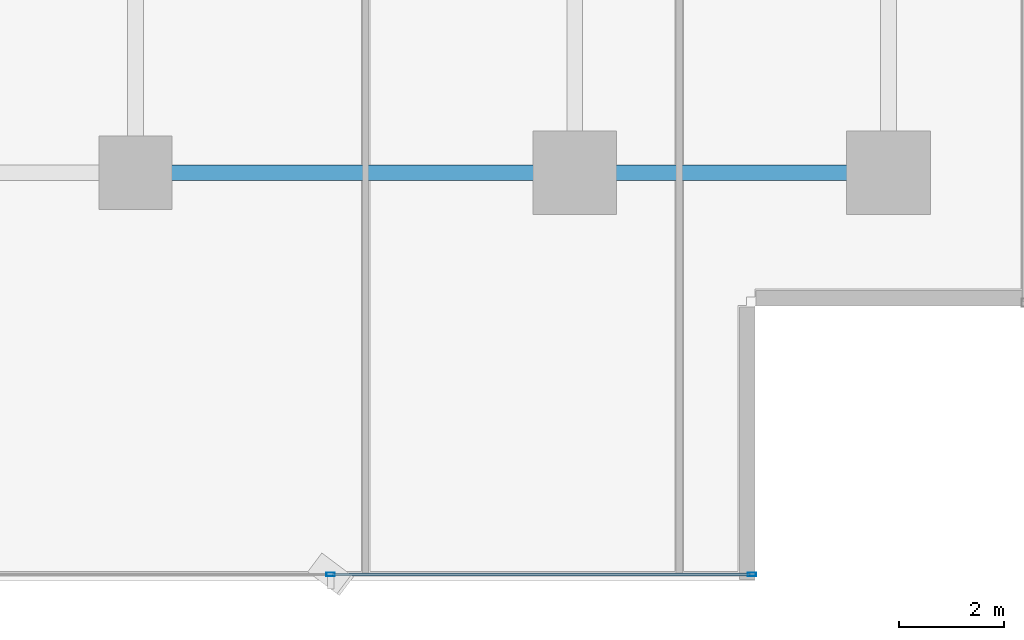
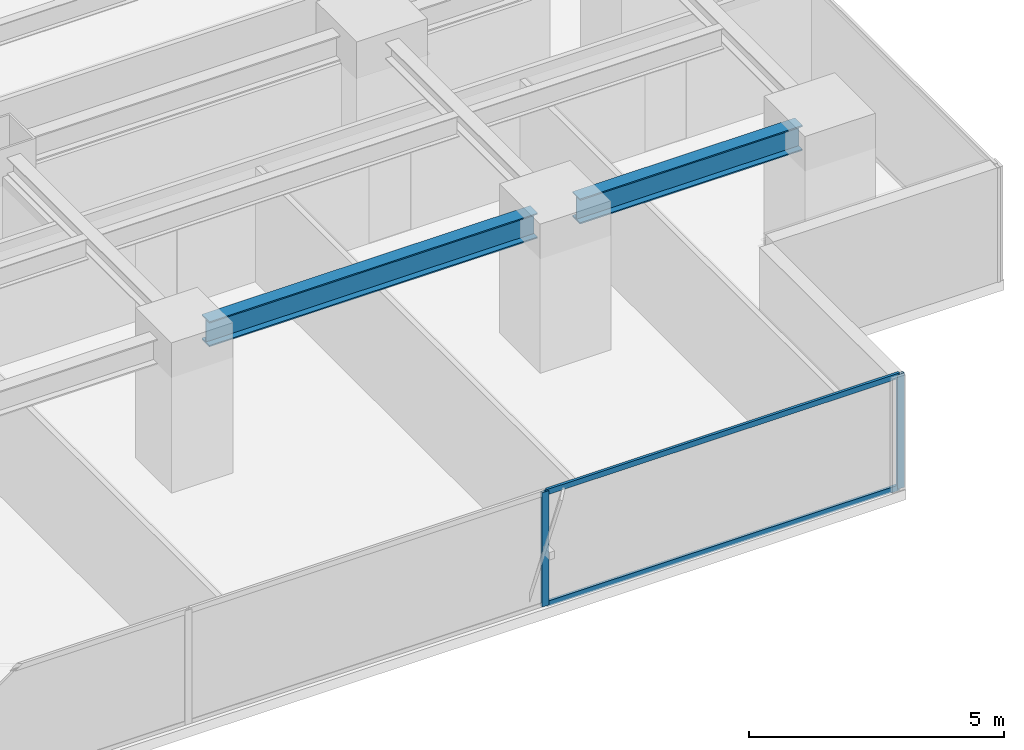
# One storey, part 12 of 37: 4 members, 2 beams, 1 element without a shape of its own.
"""IFC4 building model written with IfcOpenShell, lengths in metres."""

from ifc_helpers import new_model, si_unit, direction, frame, origin, origin_2d, place, context, subcontext, project, spatial, hollow_rectangle, i_section, extrude, source, transform, mapped, material, layer, layer_set, material_profile, profile_set, type_object, element, aggregate, save


model = new_model("IFC4")

# Units and contexts
model_context = context("Model", 3, precision=1e-05, world=origin(), true_north=direction((0.0, 1.0)))
body_context = subcontext(model_context, "Body", "Model", "MODEL_VIEW")
ifc_project = project(units=[si_unit("LENGTHUNIT", "METRE"), si_unit("AREAUNIT", "SQUARE_METRE"), si_unit("VOLUMEUNIT", "CUBIC_METRE"), si_unit("PLANEANGLEUNIT", "RADIAN"), si_unit("MASSUNIT", "GRAM", prefix="KILO")], contexts=[model_context])

# Site, building, storey
site_placement = place(None, origin())
site = spatial("IfcSite", under=ifc_project, at=site_placement, CompositionType="ELEMENT")
building_placement = place(site_placement, origin())
building = spatial("IfcBuilding", under=site, at=building_placement, Name="Sumidabori Civic Tower", CompositionType="ELEMENT")
storey_placement = place(building_placement, frame((0.0, 0.0, 88.39990234375)))
storey = spatial("IfcBuildingStorey", under=building, at=storey_placement, Name="L22", CompositionType="ELEMENT", Elevation=88.39990234375)

# Beams
ifc_material_1 = material(Name="Steel SN490", Category="steel")
ifc_material_profile_1 = material_profile(ifc_material_1, i_section(OverallWidth=0.300048828125, OverallDepth=0.60009765625, WebThickness=0.015380859375, FlangeThickness=0.030029296875, at=origin_2d()), Name="HE 600 B")
ifc_profile_set_1 = profile_set([ifc_material_profile_1], Name="Steel SN490")
beam_type = type_object("IfcBeamType", Name="BM-GIRD-600", PredefinedType="BEAM", material=ifc_profile_set_1)
shared_shape_1 = source(origin(), body_context, "Body", "SweptSolid", [
    extrude(i_section(OverallWidth=0.300048828125, OverallDepth=0.60009765625, WebThickness=0.015380859375, FlangeThickness=0.030029296875, at=origin_2d()), origin(), (0.0, 0.0, 1.0), 5.0400390625),
])
beam_1_placement = place(storey_placement, frame((17.280029296875, -18.0, 3.06005859375), z_axis=(1.0, 0.0, 0.0), x_axis=(0.0, 1.0, 0.0)))
element("IfcBeam", 1, at=beam_1_placement, inside=storey, type_object=beam_type, Name="Primary Girder L22 GX-06", PredefinedType="BEAM", context=body_context, shape_type="MappedRepresentation", body=[
    mapped(shared_shape_1, transform((0.0, 0.0, 0.0), x_axis=(1.0, 0.0, 0.0), y_axis=(0.0, 1.0, 0.0), z_axis=(0.0, 0.0, 1.0), scale=1.0)),
])
shared_shape_2 = source(origin(), body_context, "Body", "SweptSolid", [
    extrude(i_section(OverallWidth=0.300048828125, OverallDepth=0.60009765625, WebThickness=0.015380859375, FlangeThickness=0.030029296875, at=origin_2d()), origin(), (0.0, 0.0, 1.0), 7.440185546875),
])
beam_2_placement = place(storey_placement, frame((8.8798828125, -18.0, 3.06005859375), z_axis=(1.0, 0.0, 0.0), x_axis=(0.0, 1.0, 0.0)))
element("IfcBeam", 2, at=beam_2_placement, inside=storey, type_object=beam_type, Name="Primary Girder L22 GX-05", PredefinedType="BEAM", context=body_context, shape_type="MappedRepresentation", body=[
    mapped(shared_shape_2, transform((0.0, 0.0, 0.0), x_axis=(1.0, 0.0, 0.0), y_axis=(0.0, 1.0, 0.0), z_axis=(0.0, 0.0, 1.0), scale=1.0)),
])

# Curtain wall, members
ifc_material_2 = material(Name="Anodised Bronze Aluminium AW-6063-T6", Category="aluminium")
ifc_layer = layer(ifc_material_2, 0.179931640625, Name="Anodised Bronze Aluminium AW-6063-T6")
ifc_layer_set = layer_set([ifc_layer], Name="Anodised Bronze Aluminium AW-6063-T6")
curtain_wall_type = type_object("IfcCurtainWallType", Name="CW-SYS-3", PredefinedType="NOTDEFINED", material=ifc_layer_set)
curtain_wall_placement = place(storey_placement, origin())
curtain_wall = element("IfcCurtainWall", 3, at=curtain_wall_placement, inside=storey, type_object=curtain_wall_type, Name="Curtain Wall CW:L22:R01", PredefinedType="NOTDEFINED")
ifc_material_profile_2 = material_profile(ifc_material_2, hollow_rectangle(XDim=0.06494140625, YDim=0.159912109375, WallThickness=0.0048828125, at=origin_2d()), Name="ALU MULLION 160x65")
ifc_profile_set_2 = profile_set([ifc_material_profile_2], Name="Anodised Bronze Aluminium AW-6063-T6")
member_type_1 = type_object("IfcMemberType", Name="CW-MUL-160", PredefinedType="MULLION", material=ifc_profile_set_2)
shared_shape_3 = source(origin(), body_context, "Body", "SweptSolid", [
    extrude(hollow_rectangle(XDim=0.06494140625, YDim=0.159912109375, WallThickness=0.0048828125, at=origin_2d()), origin(), (0.0, 0.0, 1.0), 2.739990234375),
])
member_1_placement = place(storey_placement, frame((12.132080078125, -25.679931640625, 0.0), z_axis=(0.0, 0.0, 1.0), x_axis=(0.0, 1.0, 0.0)))
member_1 = element("IfcMember", 4, at=member_1_placement, type_object=member_type_1, Name="CW-3 mullion 5", PredefinedType="MULLION", context=body_context, shape_type="MappedRepresentation", body=[
    mapped(shared_shape_3, transform((0.0, 0.0, 0.0), x_axis=(1.0, 0.0, 0.0), y_axis=(0.0, 1.0, 0.0), z_axis=(0.0, 0.0, 1.0), scale=1.0)),
])
member_2_placement = place(storey_placement, frame((20.1875, -25.679931640625, 0.0), z_axis=(0.0, 0.0, 1.0), x_axis=(0.0, 1.0, 0.0)))
member_2 = element("IfcMember", 5, at=member_2_placement, type_object=member_type_1, Name="CW-3 mullion 6", PredefinedType="MULLION", context=body_context, shape_type="MappedRepresentation", body=[
    mapped(shared_shape_3, transform((0.0, 0.0, 0.0), x_axis=(1.0, 0.0, 0.0), y_axis=(0.0, 1.0, 0.0), z_axis=(0.0, 0.0, 1.0), scale=1.0)),
])
ifc_material_profile_3 = material_profile(ifc_material_2, hollow_rectangle(XDim=0.06005859375, YDim=0.1298828125, WallThickness=0.0048828125, at=origin_2d()), Name="ALU TRANSOM 130x60")
ifc_profile_set_3 = profile_set([ifc_material_profile_3], Name="Anodised Bronze Aluminium AW-6063-T6")
member_type_2 = type_object("IfcMemberType", Name="CW-TRN-130", PredefinedType="USERDEFINED", material=ifc_profile_set_3)
shared_shape_4 = source(origin(), body_context, "Body", "SweptSolid", [
    extrude(hollow_rectangle(XDim=0.06005859375, YDim=0.1298828125, WallThickness=0.0048828125, at=origin_2d()), origin(), (0.0, 0.0, 1.0), 7.990478515625),
])
member_3_placement = place(storey_placement, frame((12.16455078125, -25.679931640625, 0.030029296875), z_axis=(1.0, 0.0, 0.0), x_axis=(0.0, 1.0, 0.0)))
member_3 = element("IfcMember", 6, at=member_3_placement, type_object=member_type_2, Name="CW-3 transom 5.1", ObjectType="TRANSOM", PredefinedType="USERDEFINED", context=body_context, shape_type="MappedRepresentation", body=[
    mapped(shared_shape_4, transform((0.0, 0.0, 0.0), x_axis=(1.0, 0.0, 0.0), y_axis=(0.0, 1.0, 0.0), z_axis=(0.0, 0.0, 1.0), scale=1.0)),
])
member_4_placement = place(storey_placement, frame((12.16455078125, -25.679931640625, 2.710205078125), z_axis=(1.0, 0.0, 0.0), x_axis=(0.0, 1.0, 0.0)))
member_4 = element("IfcMember", 7, at=member_4_placement, type_object=member_type_2, Name="CW-3 transom 5.2", ObjectType="TRANSOM", PredefinedType="USERDEFINED", context=body_context, shape_type="MappedRepresentation", body=[
    mapped(shared_shape_4, transform((0.0, 0.0, 0.0), x_axis=(1.0, 0.0, 0.0), y_axis=(0.0, 1.0, 0.0), z_axis=(0.0, 0.0, 1.0), scale=1.0)),
])
aggregate(curtain_wall, [member_1, member_2, member_3, member_4])

save(model, "model.ifc")
